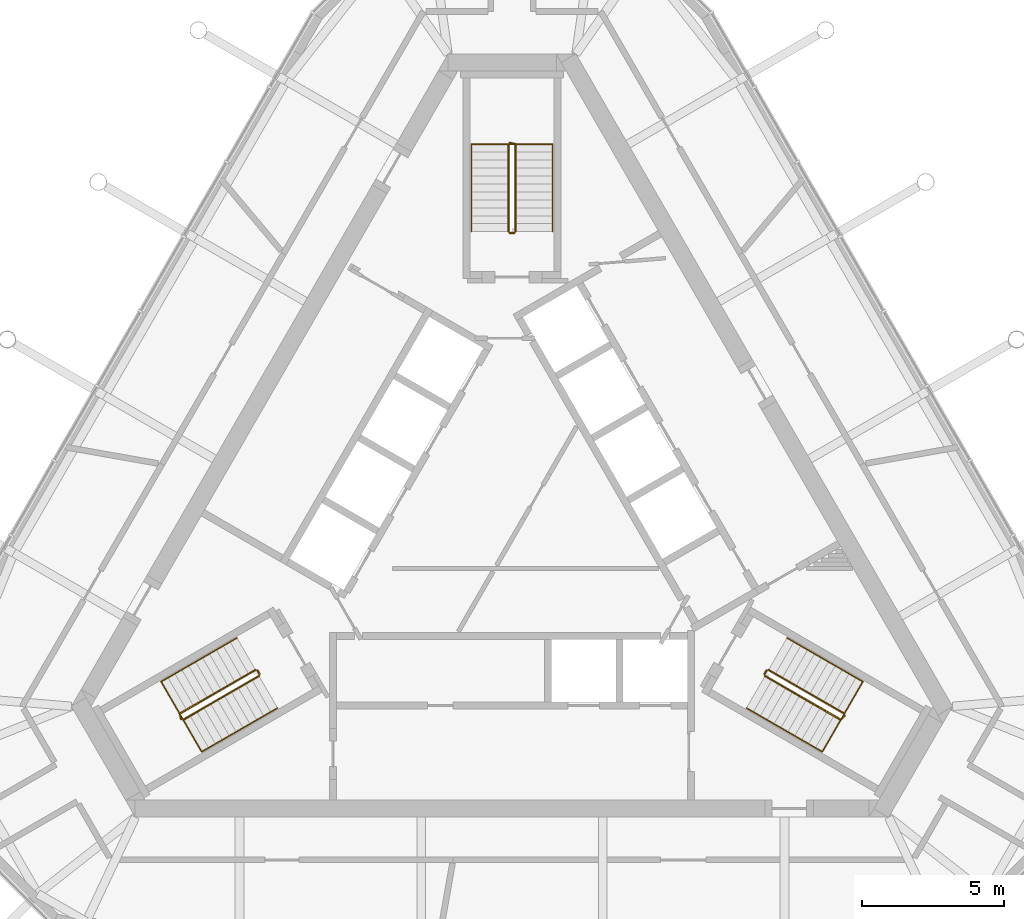
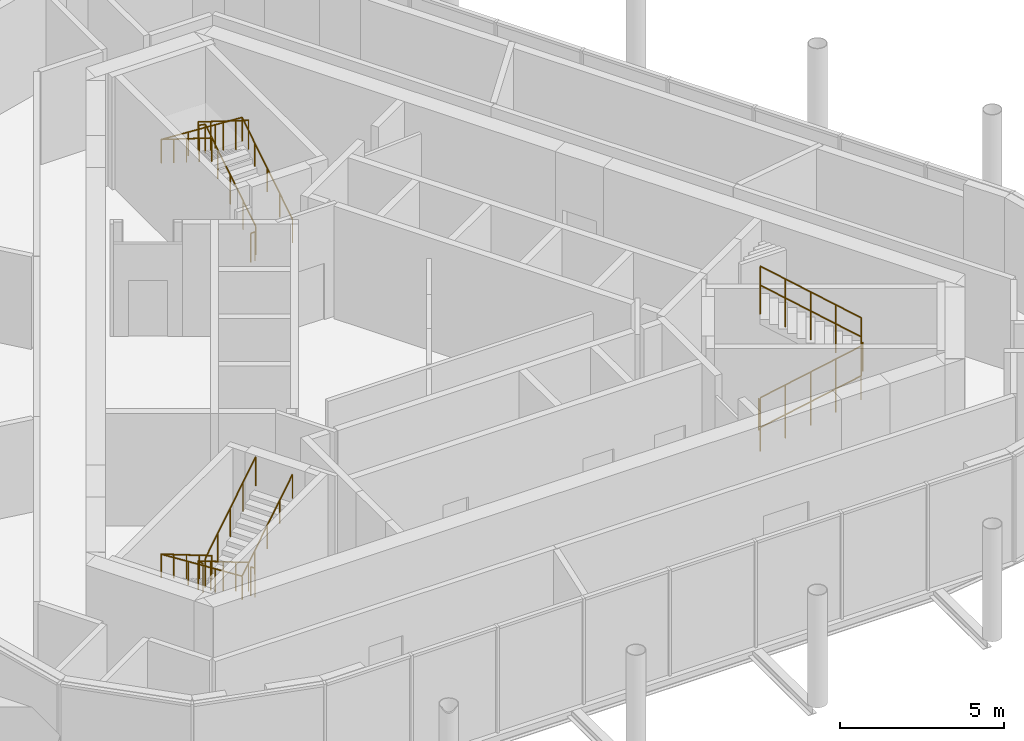
# One storey, part 11 of 11: 12 railings.
"""IFC4 building model written with IfcOpenShell, lengths in metres."""

from ifc_helpers import new_model, si_unit, direction, frame, origin, origin_2d, place, context, subcontext, project, spatial, circle, extrude, material, type_object, element, save


model = new_model("IFC4")

# Units and contexts
model_context = context("Model", 3, precision=1e-05, world=origin(), true_north=direction((0.0, 1.0)))
body_context = subcontext(model_context, "Body", "Model", "MODEL_VIEW")
ifc_project = project(units=[si_unit("LENGTHUNIT", "METRE"), si_unit("AREAUNIT", "SQUARE_METRE"), si_unit("VOLUMEUNIT", "CUBIC_METRE"), si_unit("PLANEANGLEUNIT", "RADIAN"), si_unit("MASSUNIT", "GRAM", prefix="KILO")], contexts=[model_context])

# Site, building, storey
site_placement = place(None, origin())
site = spatial("IfcSite", under=ifc_project, at=site_placement, CompositionType="ELEMENT")
building_placement = place(site_placement, origin())
building = spatial("IfcBuilding", under=site, at=building_placement, Name="Mestral Congress Tower", CompositionType="ELEMENT")
storey_placement = place(building_placement, frame((0.0, 0.0, 331.800048828125)))
storey = spatial("IfcBuildingStorey", under=building, at=storey_placement, Name="L77", CompositionType="ELEMENT", Elevation=331.800048828125)

# Railings
ifc_material_1 = material(Name="Steel balustrade", Category="steel")
railing_type_1 = type_object("IfcRailingType", Name="Stair guard 1100", PredefinedType="GUARDRAIL", material=ifc_material_1)
railing_1_placement = place(storey_placement, frame((8.90087890625, -5.283203125, 0.175048828125)))
element("IfcRailing", 1, at=railing_1_placement, inside=storey, type_object=railing_type_1, Name="L77 ST1 stair guard 1", PredefinedType="GUARDRAIL", context=body_context, shape_type="SweptSolid", body=[
    extrude(circle(Radius=0.02392578125, at=origin_2d()), frame((0.0, 0.0, 1.076171875), z_axis=(0.734390191396, -0.42403051051, 0.529970917068), x_axis=(0.500026652407, 0.866010015463, 0.0)), (0.0, 0.0, 1.0), 3.6318359375),
    extrude(circle(Radius=0.02392578125, at=origin_2d()), frame((2.667236328125, -1.5400390625, 3.0009765625), z_axis=(0.695164929852, 0.718850276695, 0.0), x_axis=(-0.718850276695, 0.695164929852, 0.0)), (0.0, 0.0, 1.0), 0.2060546875),
    extrude(circle(Radius=0.02099609375, at=origin_2d()), origin(), (0.0, 0.0, 1.0), 1.052001953125),
    extrude(circle(Radius=0.02099609375, at=origin_2d()), frame((0.666748046875, -0.385009765625, 0.481201171875)), (0.0, 0.0, 1.0), 1.052001953125),
    extrude(circle(Radius=0.02099609375, at=origin_2d()), frame((1.33349609375, -0.77001953125, 0.96240234375)), (0.0, 0.0, 1.0), 1.052001953125),
    extrude(circle(Radius=0.02099609375, at=origin_2d()), frame((2.00048828125, -1.155029296875, 1.443603515625)), (0.0, 0.0, 1.0), 1.052001953125),
    extrude(circle(Radius=0.02099609375, at=origin_2d()), frame((2.667236328125, -1.5400390625, 1.9248046875)), (0.0, 0.0, 1.0), 1.052001953125),
    extrude(circle(Radius=0.02099609375, at=origin_2d()), frame((2.810546875, -1.391845703125, 1.9248046875)), (0.0, 0.0, 1.0), 1.052001953125),
])
railing_2_placement = place(storey_placement, frame((11.693115234375, -6.606689453125, 2.27490234375)))
element("IfcRailing", 2, at=railing_2_placement, inside=storey, type_object=railing_type_1, Name="L77 ST1 stair guard 2", PredefinedType="GUARDRAIL", context=body_context, shape_type="SweptSolid", body=[
    extrude(circle(Radius=0.02392578125, at=origin_2d()), frame((0.0, 0.0, 1.076171875), z_axis=(-0.734364028329, 0.424015404183, 0.530019255228), x_axis=(-0.500026652407, -0.866010015463, 0.0)), (0.0, 0.0, 1.0), 3.632080078125),
    extrude(circle(Radius=0.02099609375, at=origin_2d()), origin(), (0.0, 0.0, 1.0), 1.052001953125),
    extrude(circle(Radius=0.02099609375, at=origin_2d()), frame((-0.666748046875, 0.385009765625, 0.481201171875)), (0.0, 0.0, 1.0), 1.052001953125),
    extrude(circle(Radius=0.02099609375, at=origin_2d()), frame((-1.33349609375, 0.77001953125, 0.96240234375)), (0.0, 0.0, 1.0), 1.052001953125),
    extrude(circle(Radius=0.02099609375, at=origin_2d()), frame((-2.00048828125, 1.155029296875, 1.44384765625)), (0.0, 0.0, 1.0), 1.052001953125),
    extrude(circle(Radius=0.02099609375, at=origin_2d()), frame((-2.667236328125, 1.5400390625, 1.925048828125)), (0.0, 0.0, 1.0), 1.052001953125),
])
railing_3_placement = place(storey_placement, frame((8.882568359375, -5.21484375, 0.0)))
element("IfcRailing", 3, at=railing_3_placement, inside=storey, type_object=railing_type_1, Name="L77 ST1 stair guard 3", PredefinedType="GUARDRAIL", context=body_context, shape_type="SweptSolid", body=[
    extrude(circle(Radius=0.02392578125, at=origin_2d()), frame((0.0, 0.0, 1.076171875), z_axis=(0.499816412211, 0.866131372301, 0.0), x_axis=(-0.866131372301, 0.499816412211, 0.0)), (0.0, 0.0, 1.0), 0.14990234375),
    extrude(circle(Radius=0.02099609375, at=origin_2d()), origin(), (0.0, 0.0, 1.0), 1.052001953125),
    extrude(circle(Radius=0.02099609375, at=origin_2d()), frame((0.074951171875, 0.1298828125, 0.0)), (0.0, 0.0, 1.0), 1.052001953125),
])
railing_4_placement = place(storey_placement, frame((0.125, 10.35009765625, 0.175048828125)))
element("IfcRailing", 4, at=railing_4_placement, inside=storey, type_object=railing_type_1, Name="L77 ST2 stair guard 1", PredefinedType="GUARDRAIL", context=body_context, shape_type="SweptSolid", body=[
    extrude(circle(Radius=0.02392578125, at=origin_2d()), frame((0.0, 0.0, 1.076171875), z_axis=(0.0, 0.848009633417, 0.529980812513), x_axis=(-1.0, 0.0, 0.0)), (0.0, 0.0, 1.0), 3.6318359375),
    extrude(circle(Radius=0.02392578125, at=origin_2d()), frame((0.0, 3.079833984375, 3.0009765625), z_axis=(-0.970072785993, 0.242814311512, 0.0), x_axis=(-0.242814311512, -0.970072785993, 0.0)), (0.0, 0.0, 1.0), 0.2060546875),
    extrude(circle(Radius=0.02099609375, at=origin_2d()), origin(), (0.0, 0.0, 1.0), 1.052001953125),
    extrude(circle(Radius=0.02099609375, at=origin_2d()), frame((0.0, 0.77001953125, 0.481201171875)), (0.0, 0.0, 1.0), 1.052001953125),
    extrude(circle(Radius=0.02099609375, at=origin_2d()), frame((0.0, 1.5400390625, 0.96240234375)), (0.0, 0.0, 1.0), 1.052001953125),
    extrude(circle(Radius=0.02099609375, at=origin_2d()), frame((0.0, 2.309814453125, 1.443603515625)), (0.0, 0.0, 1.0), 1.052001953125),
    extrude(circle(Radius=0.02099609375, at=origin_2d()), frame((0.0, 3.079833984375, 1.9248046875)), (0.0, 0.0, 1.0), 1.052001953125),
    extrude(circle(Radius=0.02099609375, at=origin_2d()), frame((-0.199951171875, 3.1298828125, 1.9248046875)), (0.0, 0.0, 1.0), 1.052001953125),
])
railing_5_placement = place(storey_placement, frame((-0.125, 13.429931640625, 2.27490234375)))
element("IfcRailing", 5, at=railing_5_placement, inside=storey, type_object=railing_type_1, Name="L77 ST2 stair guard 2", PredefinedType="GUARDRAIL", context=body_context, shape_type="SweptSolid", body=[
    extrude(circle(Radius=0.02392578125, at=origin_2d()), frame((0.0, 0.0, 1.076171875), z_axis=(0.0, -0.847979421464, 0.530029150871), x_axis=(1.0, 0.0, 0.0)), (0.0, 0.0, 1.0), 3.632080078125),
    extrude(circle(Radius=0.02099609375, at=origin_2d()), origin(), (0.0, 0.0, 1.0), 1.052001953125),
    extrude(circle(Radius=0.02099609375, at=origin_2d()), frame((0.0, -0.77001953125, 0.481201171875)), (0.0, 0.0, 1.0), 1.052001953125),
    extrude(circle(Radius=0.02099609375, at=origin_2d()), frame((0.0, -1.5400390625, 0.96240234375)), (0.0, 0.0, 1.0), 1.052001953125),
    extrude(circle(Radius=0.02099609375, at=origin_2d()), frame((0.0, -2.309814453125, 1.44384765625)), (0.0, 0.0, 1.0), 1.052001953125),
    extrude(circle(Radius=0.02099609375, at=origin_2d()), frame((0.0, -3.079833984375, 1.925048828125)), (0.0, 0.0, 1.0), 1.052001953125),
])
railing_6_placement = place(storey_placement, frame((0.074951171875, 10.300048828125, 0.0)))
element("IfcRailing", 6, at=railing_6_placement, inside=storey, type_object=railing_type_1, Name="L77 ST2 stair guard 3", PredefinedType="GUARDRAIL", context=body_context, shape_type="SweptSolid", body=[
    extrude(circle(Radius=0.02392578125, at=origin_2d()), frame((0.0, 0.0, 1.076171875), z_axis=(-1.0, 0.0, 0.0), x_axis=(0.0, -1.0, 0.0)), (0.0, 0.0, 1.0), 0.14990234375),
    extrude(circle(Radius=0.02099609375, at=origin_2d()), origin(), (0.0, 0.0, 1.0), 1.052001953125),
    extrude(circle(Radius=0.02099609375, at=origin_2d()), frame((-0.14990234375, 0.0, 0.0)), (0.0, 0.0, 1.0), 1.052001953125),
])
railing_7_placement = place(storey_placement, frame((-9.02587890625, -5.066650390625, 0.175048828125)))
element("IfcRailing", 7, at=railing_7_placement, inside=storey, type_object=railing_type_1, Name="L77 ST3 stair guard 1", PredefinedType="GUARDRAIL", context=body_context, shape_type="SweptSolid", body=[
    extrude(circle(Radius=0.02392578125, at=origin_2d()), frame((0.0, 0.0, 1.076171875), z_axis=(-0.734390191396, -0.42403051051, 0.529970917068), x_axis=(0.500026652407, -0.866010015463, 0.0)), (0.0, 0.0, 1.0), 3.6318359375),
    extrude(circle(Radius=0.02392578125, at=origin_2d()), frame((-2.667236328125, -1.5400390625, 3.0009765625), z_axis=(0.274721127897, -0.961523947641, 0.0), x_axis=(0.961523947641, 0.274721127897, 0.0)), (0.0, 0.0, 1.0), 0.2060546875),
    extrude(circle(Radius=0.02099609375, at=origin_2d()), origin(), (0.0, 0.0, 1.0), 1.052001953125),
    extrude(circle(Radius=0.02099609375, at=origin_2d()), frame((-0.666748046875, -0.385009765625, 0.481201171875)), (0.0, 0.0, 1.0), 1.052001953125),
    extrude(circle(Radius=0.02099609375, at=origin_2d()), frame((-1.33349609375, -0.77001953125, 0.96240234375)), (0.0, 0.0, 1.0), 1.052001953125),
    extrude(circle(Radius=0.02099609375, at=origin_2d()), frame((-2.00048828125, -1.155029296875, 1.443603515625)), (0.0, 0.0, 1.0), 1.052001953125),
    extrude(circle(Radius=0.02099609375, at=origin_2d()), frame((-2.667236328125, -1.5400390625, 1.9248046875)), (0.0, 0.0, 1.0), 1.052001953125),
    extrude(circle(Radius=0.02099609375, at=origin_2d()), frame((-2.610595703125, -1.73828125, 1.9248046875)), (0.0, 0.0, 1.0), 1.052001953125),
])
railing_8_placement = place(storey_placement, frame((-11.568115234375, -6.8232421875, 2.27490234375)))
element("IfcRailing", 8, at=railing_8_placement, inside=storey, type_object=railing_type_1, Name="L77 ST3 stair guard 2", PredefinedType="GUARDRAIL", context=body_context, shape_type="SweptSolid", body=[
    extrude(circle(Radius=0.02392578125, at=origin_2d()), frame((0.0, 0.0, 1.076171875), z_axis=(0.734364028329, 0.424015404183, 0.530019255228), x_axis=(-0.500026652407, 0.866010015463, 0.0)), (0.0, 0.0, 1.0), 3.632080078125),
    extrude(circle(Radius=0.02099609375, at=origin_2d()), origin(), (0.0, 0.0, 1.0), 1.052001953125),
    extrude(circle(Radius=0.02099609375, at=origin_2d()), frame((0.666748046875, 0.385009765625, 0.481201171875)), (0.0, 0.0, 1.0), 1.052001953125),
    extrude(circle(Radius=0.02099609375, at=origin_2d()), frame((1.33349609375, 0.77001953125, 0.96240234375)), (0.0, 0.0, 1.0), 1.052001953125),
    extrude(circle(Radius=0.02099609375, at=origin_2d()), frame((2.00048828125, 1.155029296875, 1.44384765625)), (0.0, 0.0, 1.0), 1.052001953125),
    extrude(circle(Radius=0.02099609375, at=origin_2d()), frame((2.667236328125, 1.5400390625, 1.925048828125)), (0.0, 0.0, 1.0), 1.052001953125),
])
railing_9_placement = place(storey_placement, frame((-8.95751953125, -5.0849609375, 0.0)))
element("IfcRailing", 9, at=railing_9_placement, inside=storey, type_object=railing_type_1, Name="L77 ST3 stair guard 3", PredefinedType="GUARDRAIL", context=body_context, shape_type="SweptSolid", body=[
    extrude(circle(Radius=0.02392578125, at=origin_2d()), frame((0.0, 0.0, 1.076171875), z_axis=(0.499816412211, -0.866131372301, 0.0), x_axis=(0.866131372301, 0.499816412211, 0.0)), (0.0, 0.0, 1.0), 0.14990234375),
    extrude(circle(Radius=0.02099609375, at=origin_2d()), origin(), (0.0, 0.0, 1.0), 1.052001953125),
    extrude(circle(Radius=0.02099609375, at=origin_2d()), frame((0.074951171875, -0.1298828125, 0.0)), (0.0, 0.0, 1.0), 1.052001953125),
])
ifc_material_2 = material(Name="Steel handrail", Category="steel")
railing_type_2 = type_object("IfcRailingType", Name="Stair handrail 900", PredefinedType="HANDRAIL", material=ifc_material_2)
railing_10_placement = place(storey_placement, frame((8.2509765625, -6.4091796875, 0.175048828125)))
element("IfcRailing", 10, at=railing_10_placement, inside=storey, type_object=railing_type_2, Name="L77 ST1 stair handrail 1", PredefinedType="HANDRAIL", context=body_context, shape_type="SweptSolid", body=[
    extrude(circle(Radius=0.02392578125, at=origin_2d()), frame((0.0, 0.0, 0.8759765625), z_axis=(0.734411123532, -0.423975373557, 0.529986022693), x_axis=(0.499967199496, 0.866044340336, 0.0)), (0.0, 0.0, 1.0), 3.6318359375),
    extrude(circle(Radius=0.02392578125, at=origin_2d()), frame((2.667236328125, -1.539794921875, 2.80078125), z_axis=(0.499095769026, 0.864375386171, 0.061307463833), x_axis=(-0.866004402611, 0.500036373335, 0.0)), (0.0, 0.0, 1.0), 2.855224609375),
    extrude(circle(Radius=0.02392578125, at=origin_2d()), frame((4.09228515625, 0.92822265625, 2.9755859375), z_axis=(-0.734394994316, 0.423994474112, 0.52999309264), x_axis=(-0.499992328818, -0.866029832698, 0.0)), (0.0, 0.0, 1.0), 3.63232421875),
    extrude(circle(Radius=0.02099609375, at=origin_2d()), origin(), (0.0, 0.0, 1.0), 0.851806640625),
    extrude(circle(Radius=0.02099609375, at=origin_2d()), frame((0.666748046875, -0.385009765625, 0.481201171875)), (0.0, 0.0, 1.0), 0.851806640625),
    extrude(circle(Radius=0.02099609375, at=origin_2d()), frame((1.33349609375, -0.77001953125, 0.96240234375)), (0.0, 0.0, 1.0), 0.851806640625),
    extrude(circle(Radius=0.02099609375, at=origin_2d()), frame((2.00048828125, -1.15478515625, 1.443603515625)), (0.0, 0.0, 1.0), 0.851806640625),
    extrude(circle(Radius=0.02099609375, at=origin_2d()), frame((2.667236328125, -1.539794921875, 1.9248046875)), (0.0, 0.0, 1.0), 0.851806640625),
    extrude(circle(Radius=0.02099609375, at=origin_2d()), frame((3.142333984375, -0.717041015625, 1.983154296875)), (0.0, 0.0, 1.0), 0.851806640625),
    extrude(circle(Radius=0.02099609375, at=origin_2d()), frame((3.6171875, 0.10546875, 2.04150390625)), (0.0, 0.0, 1.0), 0.851806640625),
    extrude(circle(Radius=0.02099609375, at=origin_2d()), frame((4.09228515625, 0.92822265625, 2.099853515625)), (0.0, 0.0, 1.0), 0.851806640625),
    extrude(circle(Radius=0.02099609375, at=origin_2d()), frame((3.42529296875, 1.313232421875, 2.5810546875)), (0.0, 0.0, 1.0), 0.851806640625),
    extrude(circle(Radius=0.02099609375, at=origin_2d()), frame((2.758544921875, 1.6982421875, 3.0625)), (0.0, 0.0, 1.0), 0.851806640625),
    extrude(circle(Radius=0.02099609375, at=origin_2d()), frame((2.091796875, 2.083251953125, 3.543701171875)), (0.0, 0.0, 1.0), 0.851806640625),
    extrude(circle(Radius=0.02099609375, at=origin_2d()), frame((1.4248046875, 2.46826171875, 4.02490234375)), (0.0, 0.0, 1.0), 0.851806640625),
])
railing_11_placement = place(storey_placement, frame((1.425048828125, 10.35009765625, 0.175048828125)))
element("IfcRailing", 11, at=railing_11_placement, inside=storey, type_object=railing_type_2, Name="L77 ST2 stair handrail 1", PredefinedType="HANDRAIL", context=body_context, shape_type="SweptSolid", body=[
    extrude(circle(Radius=0.02392578125, at=origin_2d()), frame((0.0, 0.0, 0.8759765625), z_axis=(0.0, 0.848009633417, 0.529980812513), x_axis=(-1.0, 0.0, 0.0)), (0.0, 0.0, 1.0), 3.6318359375),
    extrude(circle(Radius=0.02392578125, at=origin_2d()), frame((0.0, 3.079833984375, 2.80078125), z_axis=(-0.998119201106, 0.0, 0.061303021003), x_axis=(0.0, -1.0, 0.0)), (0.0, 0.0, 1.0), 2.85546875),
    extrude(circle(Radius=0.02392578125, at=origin_2d()), frame((-2.85009765625, 3.079833984375, 2.9755859375), z_axis=(0.0, -0.847979421464, 0.530029150871), x_axis=(1.0, 0.0, 0.0)), (0.0, 0.0, 1.0), 3.632080078125),
    extrude(circle(Radius=0.02099609375, at=origin_2d()), origin(), (0.0, 0.0, 1.0), 0.851806640625),
    extrude(circle(Radius=0.02099609375, at=origin_2d()), frame((0.0, 0.77001953125, 0.481201171875)), (0.0, 0.0, 1.0), 0.851806640625),
    extrude(circle(Radius=0.02099609375, at=origin_2d()), frame((0.0, 1.5400390625, 0.96240234375)), (0.0, 0.0, 1.0), 0.851806640625),
    extrude(circle(Radius=0.02099609375, at=origin_2d()), frame((0.0, 2.309814453125, 1.443603515625)), (0.0, 0.0, 1.0), 0.851806640625),
    extrude(circle(Radius=0.02099609375, at=origin_2d()), frame((0.0, 3.079833984375, 1.9248046875)), (0.0, 0.0, 1.0), 0.851806640625),
    extrude(circle(Radius=0.02099609375, at=origin_2d()), frame((-0.949951171875, 3.079833984375, 1.983154296875)), (0.0, 0.0, 1.0), 0.851806640625),
    extrude(circle(Radius=0.02099609375, at=origin_2d()), frame((-1.900146484375, 3.079833984375, 2.04150390625)), (0.0, 0.0, 1.0), 0.851806640625),
    extrude(circle(Radius=0.02099609375, at=origin_2d()), frame((-2.85009765625, 3.079833984375, 2.099853515625)), (0.0, 0.0, 1.0), 0.851806640625),
    extrude(circle(Radius=0.02099609375, at=origin_2d()), frame((-2.85009765625, 2.309814453125, 2.5810546875)), (0.0, 0.0, 1.0), 0.851806640625),
    extrude(circle(Radius=0.02099609375, at=origin_2d()), frame((-2.85009765625, 1.5400390625, 3.0625)), (0.0, 0.0, 1.0), 0.851806640625),
    extrude(circle(Radius=0.02099609375, at=origin_2d()), frame((-2.85009765625, 0.77001953125, 3.543701171875)), (0.0, 0.0, 1.0), 0.851806640625),
    extrude(circle(Radius=0.02099609375, at=origin_2d()), frame((-2.85009765625, 0.0, 4.02490234375)), (0.0, 0.0, 1.0), 0.851806640625),
])
railing_12_placement = place(storey_placement, frame((-9.67578125, -3.94091796875, 0.175048828125)))
element("IfcRailing", 12, at=railing_12_placement, inside=storey, type_object=railing_type_2, Name="L77 ST3 stair handrail 1", PredefinedType="HANDRAIL", context=body_context, shape_type="SweptSolid", body=[
    extrude(circle(Radius=0.02392578125, at=origin_2d()), frame((0.0, 0.0, 0.8759765625), z_axis=(-0.734421155904, -0.424009578203, 0.529944755001), x_axis=(0.499992328818, -0.866029832698, 0.0)), (0.0, 0.0, 1.0), 3.632080078125),
    extrude(circle(Radius=0.02392578125, at=origin_2d()), frame((-2.66748046875, -1.5400390625, 2.80078125), z_axis=(0.499095769026, -0.864375386171, 0.061307463833), x_axis=(0.866004402611, 0.500036373335, 0.0)), (0.0, 0.0, 1.0), 2.855224609375),
    extrude(circle(Radius=0.02392578125, at=origin_2d()), frame((-1.242431640625, -4.008056640625, 2.9755859375), z_axis=(0.734384958227, 0.423960268333, 0.530034361155), x_axis=(-0.499967199496, 0.866044340336, 0.0)), (0.0, 0.0, 1.0), 3.6318359375),
    extrude(circle(Radius=0.02099609375, at=origin_2d()), origin(), (0.0, 0.0, 1.0), 0.851806640625),
    extrude(circle(Radius=0.02099609375, at=origin_2d()), frame((-0.6669921875, -0.385009765625, 0.481201171875)), (0.0, 0.0, 1.0), 0.851806640625),
    extrude(circle(Radius=0.02099609375, at=origin_2d()), frame((-1.333740234375, -0.77001953125, 0.96240234375)), (0.0, 0.0, 1.0), 0.851806640625),
    extrude(circle(Radius=0.02099609375, at=origin_2d()), frame((-2.00048828125, -1.155029296875, 1.443603515625)), (0.0, 0.0, 1.0), 0.851806640625),
    extrude(circle(Radius=0.02099609375, at=origin_2d()), frame((-2.66748046875, -1.5400390625, 1.9248046875)), (0.0, 0.0, 1.0), 0.851806640625),
    extrude(circle(Radius=0.02099609375, at=origin_2d()), frame((-2.1923828125, -2.36279296875, 1.983154296875)), (0.0, 0.0, 1.0), 0.851806640625),
    extrude(circle(Radius=0.02099609375, at=origin_2d()), frame((-1.717529296875, -3.185302734375, 2.04150390625)), (0.0, 0.0, 1.0), 0.851806640625),
    extrude(circle(Radius=0.02099609375, at=origin_2d()), frame((-1.242431640625, -4.008056640625, 2.099853515625)), (0.0, 0.0, 1.0), 0.851806640625),
    extrude(circle(Radius=0.02099609375, at=origin_2d()), frame((-0.57568359375, -3.623046875, 2.5810546875)), (0.0, 0.0, 1.0), 0.851806640625),
    extrude(circle(Radius=0.02099609375, at=origin_2d()), frame((0.09130859375, -3.23828125, 3.0625)), (0.0, 0.0, 1.0), 0.851806640625),
    extrude(circle(Radius=0.02099609375, at=origin_2d()), frame((0.758056640625, -2.853271484375, 3.543701171875)), (0.0, 0.0, 1.0), 0.851806640625),
    extrude(circle(Radius=0.02099609375, at=origin_2d()), frame((1.4248046875, -2.46826171875, 4.02490234375)), (0.0, 0.0, 1.0), 0.851806640625),
])

save(model, "model.ifc")
